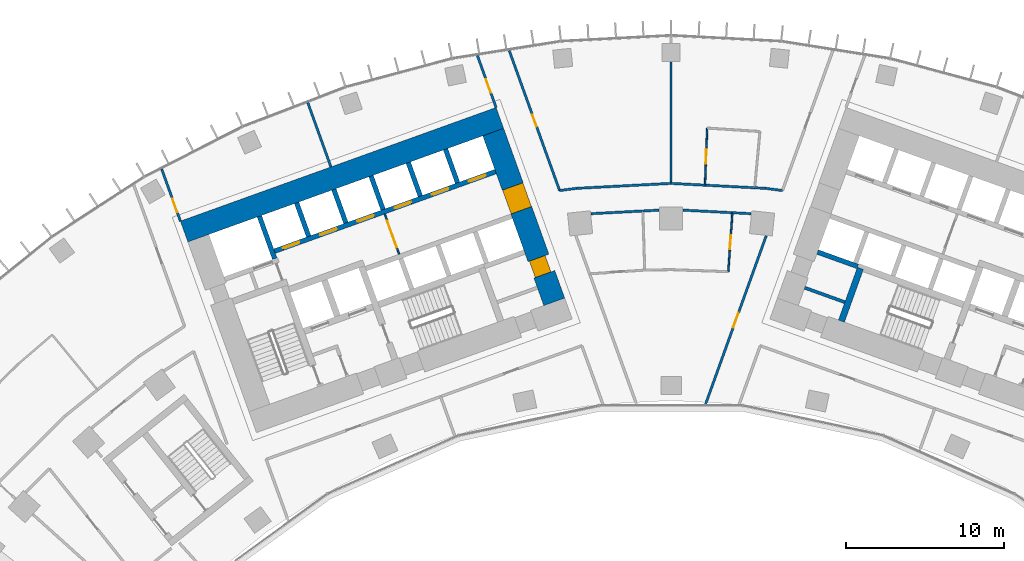
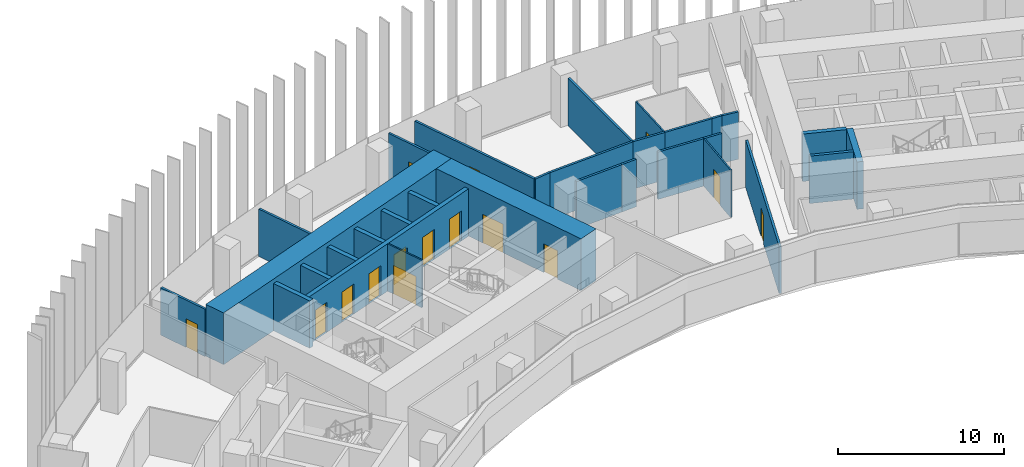
# One storey, part 16 of 21: 31 walls, 15 doors, 15 openings.
"""IFC4 building model written with IfcOpenShell, lengths in metres."""

from ifc_helpers import new_model, si_unit, direction, frame, frame_2d, origin, place, context, subcontext, project, spatial, rectangle, extrude, material, layer, layer_set, type_object, element, fill, save


model = new_model("IFC4")

# Units and contexts
model_context = context("Model", 3, precision=1e-05, world=origin(), true_north=direction((0.0, 1.0)))
body_context = subcontext(model_context, "Body", "Model", "MODEL_VIEW")
ifc_project = project(units=[si_unit("LENGTHUNIT", "METRE"), si_unit("AREAUNIT", "SQUARE_METRE"), si_unit("VOLUMEUNIT", "CUBIC_METRE"), si_unit("PLANEANGLEUNIT", "RADIAN"), si_unit("MASSUNIT", "GRAM", prefix="KILO")], contexts=[model_context])

# Site, building, storey
site_placement = place(None, origin())
site = spatial("IfcSite", under=ifc_project, at=site_placement, CompositionType="ELEMENT")
building_placement = place(site_placement, origin())
building = spatial("IfcBuilding", under=site, at=building_placement, Name="Stone Belt Terrace Tower", CompositionType="ELEMENT")
storey_placement = place(building_placement, frame((0.0, 0.0, 87.0)))
storey = spatial("IfcBuildingStorey", under=building, at=storey_placement, Name="L20", CompositionType="ELEMENT", Elevation=87.0)

# Wall, opening, door
ifc_material_1 = material(Name="Plasterboard partition")
ifc_layer_1 = layer(ifc_material_1, 0.10009765625)
ifc_layer_set_1 = layer_set([ifc_layer_1], Name="Core partition 100")
wall_type_1 = type_object("IfcWallType", Name="Core partition 100", PredefinedType="PARTITIONING", material=ifc_layer_set_1)
wall_1_placement = place(storey_placement, frame((-17.17724609375, 52.749755859375, 0.0), z_axis=(0.0, 0.0, 1.0), x_axis=(-0.338546555931, 0.940949642365, 0.0)))
wall_1 = element("IfcWall", 1, at=wall_1_placement, inside=storey, type_object=wall_type_1, Name="Core A wall", PredefinedType="PARTITIONING", context=body_context, shape_type="SweptSolid", body=[
    extrude(rectangle(XDim=2.699951171875, YDim=0.10009765625, at=frame_2d((1.35009765625, 0.0))), origin(), (0.0, 0.0, 1.0), 3.47998046875),
])
opening_1_placement = place(wall_1_placement, frame((0.449951171875, 0.0, 0.0)))
opening_1 = element("IfcOpeningElement", 2, at=opening_1_placement, cuts=wall_1, Name="Opening L20-C03", PredefinedType="OPENING", context=body_context, shape_type="SweptSolid", body=[
    extrude(rectangle(XDim=1.800048828125, YDim=2.10009765625, at=frame_2d((0.89990234375, 1.050048828125))), frame((0.0, 0.06005859375, 0.0), z_axis=(0.0, -1.0, 0.0), x_axis=(1.0, 0.0, 0.0)), (0.0, 0.0, 1.0), 0.1201171875),
])
ifc_material_2 = material(Name="Glazed aluminium door leaf", Category="aluminium")
door_type_1 = type_object("IfcDoorType", Name="Lift lobby entrance door 1800", OperationType="DOUBLE_DOOR_SINGLE_SWING", PredefinedType="DOOR", material=ifc_material_2)
door_1_placement = place(opening_1_placement, origin())
door_1 = element("IfcDoor", 3, at=door_1_placement, inside=storey, type_object=door_type_1, Name="Lift lobby double door core A", OperationType="DOUBLE_DOOR_SINGLE_SWING", OverallHeight=2.10009765625, OverallWidth=1.800048828125, PredefinedType="DOOR", context=body_context, shape_type="SweptSolid", body=[
    extrude(rectangle(XDim=1.800048828125, YDim=2.10009765625, at=frame_2d((0.89990234375, 1.050048828125))), frame((0.0, 0.02490234375, 0.0), z_axis=(0.0, -1.0, 0.0), x_axis=(1.0, 0.0, 0.0)), (0.0, 0.0, 1.0), 0.050048828125),
])
fill(opening_1, door_1)

# Wall
ifc_material_3 = material(Name="Concrete B80", Category="concrete")
ifc_layer_2 = layer(ifc_material_3, 1.39990234375)
ifc_layer_set_2 = layer_set([ifc_layer_2], Name="Core wall 1400 B80")
wall_type_2 = type_object("IfcWallType", Name="Core wall 1400 B80", PredefinedType="SHEAR", material=ifc_layer_set_2)
wall_2_placement = place(storey_placement, frame((-30.765380859375, 54.18310546875, 0.0), z_axis=(0.0, 0.0, 1.0), x_axis=(0.940919704758, 0.338629752382, 0.0)))
element("IfcWall", 4, at=wall_2_placement, inside=storey, type_object=wall_type_2, Name="Core A wall convex L20", PredefinedType="SHEAR", context=body_context, shape_type="SweptSolid", body=[
    extrude(rectangle(XDim=21.199951171875, YDim=1.39990234375, at=frame_2d((10.60009765625, 0.0))), origin(), (0.0, 0.0, 1.0), 3.800048828125),
])

# Wall, openings, doors
wall_3_placement = place(storey_placement, frame((-7.379150390625, 49.73974609375, 0.0), z_axis=(0.0, 0.0, 1.0), x_axis=(-0.338625431531, 0.940921259788, 0.0)))
wall_3 = element("IfcWall", 5, at=wall_3_placement, inside=storey, type_object=wall_type_2, Name="Core A wall end_b L20", PredefinedType="SHEAR", context=body_context, shape_type="SweptSolid", body=[
    extrude(rectangle(XDim=11.400146484375, YDim=1.39990234375, at=frame_2d((5.7001953125, 0.0))), origin(), (0.0, 0.0, 1.0), 3.800048828125),
])
opening_2_placement = place(wall_3_placement, frame((6.14990234375, 0.0, 0.0)))
opening_2 = element("IfcOpeningElement", 6, at=opening_2_placement, cuts=wall_3, Name="Opening L20-C04", PredefinedType="OPENING", context=body_context, shape_type="SweptSolid", body=[
    extrude(rectangle(XDim=1.60009765625, YDim=2.10009765625, at=frame_2d((0.800048828125, 1.050048828125))), frame((0.0, 0.7099609375, 0.0), z_axis=(0.0, -1.0, 0.0), x_axis=(1.0, 0.0, 0.0)), (0.0, 0.0, 1.0), 1.419921875),
])
opening_3_placement = place(wall_3_placement, frame((1.85009765625, 0.0, 0.0)))
opening_3 = element("IfcOpeningElement", 7, at=opening_3_placement, cuts=wall_3, Name="Opening L20-C10", PredefinedType="OPENING", context=body_context, shape_type="SweptSolid", body=[
    extrude(rectangle(XDim=1.10009765625, YDim=2.10009765625, at=frame_2d((0.550048828125, 1.050048828125))), frame((0.0, 0.7099609375, 0.0), z_axis=(0.0, -1.0, 0.0), x_axis=(1.0, 0.0, 0.0)), (0.0, 0.0, 1.0), 1.419921875),
])
ifc_material_4 = material(Name="Timber door leaf", Category="wood")
door_type_2 = type_object("IfcDoorType", Name="Core room door 1100", OperationType="SINGLE_SWING_LEFT", PredefinedType="DOOR", material=ifc_material_4)
door_2_placement = place(opening_3_placement, origin())
door_2 = element("IfcDoor", 8, at=door_2_placement, inside=storey, type_object=door_type_2, Name="Door to Accessible WC core A", OperationType="SINGLE_SWING_RIGHT", OverallHeight=2.10009765625, OverallWidth=1.10009765625, PredefinedType="DOOR", context=body_context, shape_type="SweptSolid", body=[
    extrude(rectangle(XDim=1.10009765625, YDim=2.10009765625, at=frame_2d((0.550048828125, 1.050048828125))), frame((0.0, 0.60498046875, 0.0), z_axis=(0.0, -1.0, 0.0), x_axis=(1.0, 0.0, 0.0)), (0.0, 0.0, 1.0), 1.050048828125),
])
fill(opening_3, door_2)
door_type_3 = type_object("IfcDoorType", Name="Lift lobby entrance door 1600", OperationType="DOUBLE_DOOR_SINGLE_SWING", PredefinedType="DOOR", material=ifc_material_2)
door_3_placement = place(opening_2_placement, origin())
door_3 = element("IfcDoor", 9, at=door_3_placement, inside=storey, type_object=door_type_3, Name="Lift lobby entrance door core A", OperationType="DOUBLE_DOOR_SINGLE_SWING", OverallHeight=2.10009765625, OverallWidth=1.60009765625, PredefinedType="DOOR", context=body_context, shape_type="SweptSolid", body=[
    extrude(rectangle(XDim=1.60009765625, YDim=2.10009765625, at=frame_2d((0.800048828125, 1.050048828125))), frame((0.0, 0.68017578125, 0.0), z_axis=(0.0, -1.0, 0.0), x_axis=(1.0, 0.0, 0.0)), (0.0, 0.0, 1.0), 1.360107421875),
])
fill(opening_2, door_3)

# Wall
ifc_layer_3 = layer(ifc_material_3, 0.300048828125)
ifc_layer_set_3 = layer_set([ifc_layer_3], Name="Lift shaft wall 300")
wall_type_3 = type_object("IfcWallType", Name="Lift shaft wall 300", PredefinedType="SHEAR", material=ifc_layer_set_3)
wall_4_placement = place(storey_placement, frame((-25.046875, 52.46826171875, 0.0), z_axis=(0.0, 0.0, 1.0), x_axis=(-0.338549588058, 0.940948551423, 0.0)))
element("IfcWall", 10, at=wall_4_placement, inside=storey, type_object=wall_type_3, Name="Core A wall", PredefinedType="SHEAR", context=body_context, shape_type="SweptSolid", body=[
    extrude(rectangle(XDim=2.849853515625, YDim=0.300048828125, at=frame_2d((1.4248046875, 0.0))), origin(), (0.0, 0.0, 1.0), 3.47998046875),
])

# Wall, openings, doors
wall_5_placement = place(storey_placement, frame((-25.05810546875, 52.9423828125, 0.0), z_axis=(0.0, 0.0, 1.0), x_axis=(0.940918215764, 0.338633889685, 0.0)))
wall_5 = element("IfcWall", 11, at=wall_5_placement, inside=storey, type_object=wall_type_3, Name="Core A wall", PredefinedType="SHEAR", context=body_context, shape_type="SweptSolid", body=[
    extrude(rectangle(XDim=14.850341796875, YDim=0.300048828125, at=frame_2d((7.42529296875, 0.0))), origin(), (0.0, 0.0, 1.0), 3.47998046875),
])
opening_4_placement = place(wall_5_placement, frame((0.570068359375, 0.0, 0.0)))
opening_4 = element("IfcOpeningElement", 12, at=opening_4_placement, cuts=wall_5, Name="Opening L20-LD01", PredefinedType="OPENING", context=body_context, shape_type="SweptSolid", body=[
    extrude(rectangle(XDim=1.10009765625, YDim=2.199951171875, at=frame_2d((0.550048828125, 1.10009765625))), frame((0.0, 0.159912109375, 0.0), z_axis=(0.0, -1.0, 0.0), x_axis=(1.0, 0.0, 0.0)), (0.0, 0.0, 1.0), 0.320068359375),
])
opening_5_placement = place(wall_5_placement, frame((3.070068359375, 0.0, 0.0)))
opening_5 = element("IfcOpeningElement", 13, at=opening_5_placement, cuts=wall_5, Name="Opening L20-LD02", PredefinedType="OPENING", context=body_context, shape_type="SweptSolid", body=[
    extrude(rectangle(XDim=1.10009765625, YDim=2.199951171875, at=frame_2d((0.550048828125, 1.10009765625))), frame((0.0, 0.159912109375, 0.0), z_axis=(0.0, -1.0, 0.0), x_axis=(1.0, 0.0, 0.0)), (0.0, 0.0, 1.0), 0.320068359375),
])
opening_6_placement = place(wall_5_placement, frame((5.570068359375, 0.0, 0.0)))
opening_6 = element("IfcOpeningElement", 14, at=opening_6_placement, cuts=wall_5, Name="Opening L20-LD03", PredefinedType="OPENING", context=body_context, shape_type="SweptSolid", body=[
    extrude(rectangle(XDim=1.10009765625, YDim=2.199951171875, at=frame_2d((0.550048828125, 1.10009765625))), frame((0.0, 0.159912109375, 0.0), z_axis=(0.0, -1.0, 0.0), x_axis=(1.0, 0.0, 0.0)), (0.0, 0.0, 1.0), 0.320068359375),
])
opening_7_placement = place(wall_5_placement, frame((8.070068359375, 0.0, 0.0)))
opening_7 = element("IfcOpeningElement", 15, at=opening_7_placement, cuts=wall_5, Name="Opening L20-LD04", PredefinedType="OPENING", context=body_context, shape_type="SweptSolid", body=[
    extrude(rectangle(XDim=1.10009765625, YDim=2.199951171875, at=frame_2d((0.550048828125, 1.10009765625))), frame((0.0, 0.159912109375, 0.0), z_axis=(0.0, -1.0, 0.0), x_axis=(1.0, 0.0, 0.0)), (0.0, 0.0, 1.0), 0.320068359375),
])
opening_8_placement = place(wall_5_placement, frame((10.570068359375, 0.0, 0.0)))
opening_8 = element("IfcOpeningElement", 16, at=opening_8_placement, cuts=wall_5, Name="Opening L20-LD05", PredefinedType="OPENING", context=body_context, shape_type="SweptSolid", body=[
    extrude(rectangle(XDim=1.10009765625, YDim=2.199951171875, at=frame_2d((0.550048828125, 1.10009765625))), frame((0.0, 0.159912109375, 0.0), z_axis=(0.0, -1.0, 0.0), x_axis=(1.0, 0.0, 0.0)), (0.0, 0.0, 1.0), 0.320068359375),
])
opening_9_placement = place(wall_5_placement, frame((13.070068359375, 0.0, 0.0)))
opening_9 = element("IfcOpeningElement", 17, at=opening_9_placement, cuts=wall_5, Name="Opening L20-LD06", PredefinedType="OPENING", context=body_context, shape_type="SweptSolid", body=[
    extrude(rectangle(XDim=1.10009765625, YDim=2.199951171875, at=frame_2d((0.550048828125, 1.10009765625))), frame((0.0, 0.159912109375, 0.0), z_axis=(0.0, -1.0, 0.0), x_axis=(1.0, 0.0, 0.0)), (0.0, 0.0, 1.0), 0.320068359375),
])
ifc_material_5 = material(Name="Stainless steel door leaf", Category="steel")
door_type_4 = type_object("IfcDoorType", Name="Landing door 1100", OperationType="SLIDING_TO_LEFT", PredefinedType="DOOR", material=ifc_material_5)
door_4_placement = place(opening_4_placement, origin())
door_4 = element("IfcDoor", 18, at=door_4_placement, inside=storey, type_object=door_type_4, Name="Landing door LR1 core A", OperationType="SLIDING_TO_LEFT", OverallHeight=2.199951171875, OverallWidth=1.10009765625, PredefinedType="DOOR", context=body_context, shape_type="SweptSolid", body=[
    extrude(rectangle(XDim=1.10009765625, YDim=2.199951171875, at=frame_2d((0.550048828125, 1.10009765625))), frame((0.0, 0.02490234375, 0.0), z_axis=(0.0, -1.0, 0.0), x_axis=(1.0, 0.0, 0.0)), (0.0, 0.0, 1.0), 0.050048828125),
])
fill(opening_4, door_4)
door_5_placement = place(opening_5_placement, origin())
door_5 = element("IfcDoor", 19, at=door_5_placement, inside=storey, type_object=door_type_4, Name="Landing door LR2 core A", OperationType="SLIDING_TO_LEFT", OverallHeight=2.199951171875, OverallWidth=1.10009765625, PredefinedType="DOOR", context=body_context, shape_type="SweptSolid", body=[
    extrude(rectangle(XDim=1.10009765625, YDim=2.199951171875, at=frame_2d((0.550048828125, 1.10009765625))), frame((0.0, 0.02490234375, 0.0), z_axis=(0.0, -1.0, 0.0), x_axis=(1.0, 0.0, 0.0)), (0.0, 0.0, 1.0), 0.050048828125),
])
fill(opening_5, door_5)
door_6_placement = place(opening_6_placement, origin())
door_6 = element("IfcDoor", 20, at=door_6_placement, inside=storey, type_object=door_type_4, Name="Landing door LR3 core A", OperationType="SLIDING_TO_LEFT", OverallHeight=2.199951171875, OverallWidth=1.10009765625, PredefinedType="DOOR", context=body_context, shape_type="SweptSolid", body=[
    extrude(rectangle(XDim=1.10009765625, YDim=2.199951171875, at=frame_2d((0.550048828125, 1.10009765625))), frame((0.0, 0.02490234375, 0.0), z_axis=(0.0, -1.0, 0.0), x_axis=(1.0, 0.0, 0.0)), (0.0, 0.0, 1.0), 0.050048828125),
])
fill(opening_6, door_6)
door_7_placement = place(opening_7_placement, origin())
door_7 = element("IfcDoor", 21, at=door_7_placement, inside=storey, type_object=door_type_4, Name="Landing door LR4 core A", OperationType="SLIDING_TO_LEFT", OverallHeight=2.199951171875, OverallWidth=1.10009765625, PredefinedType="DOOR", context=body_context, shape_type="SweptSolid", body=[
    extrude(rectangle(XDim=1.10009765625, YDim=2.199951171875, at=frame_2d((0.550048828125, 1.10009765625))), frame((0.0, 0.02490234375, 0.0), z_axis=(0.0, -1.0, 0.0), x_axis=(1.0, 0.0, 0.0)), (0.0, 0.0, 1.0), 0.050048828125),
])
fill(opening_7, door_7)
door_8_placement = place(opening_8_placement, origin())
door_8 = element("IfcDoor", 22, at=door_8_placement, inside=storey, type_object=door_type_4, Name="Landing door LR5 core A", OperationType="SLIDING_TO_LEFT", OverallHeight=2.199951171875, OverallWidth=1.10009765625, PredefinedType="DOOR", context=body_context, shape_type="SweptSolid", body=[
    extrude(rectangle(XDim=1.10009765625, YDim=2.199951171875, at=frame_2d((0.550048828125, 1.10009765625))), frame((0.0, 0.02490234375, 0.0), z_axis=(0.0, -1.0, 0.0), x_axis=(1.0, 0.0, 0.0)), (0.0, 0.0, 1.0), 0.050048828125),
])
fill(opening_8, door_8)
door_9_placement = place(opening_9_placement, origin())
door_9 = element("IfcDoor", 23, at=door_9_placement, inside=storey, type_object=door_type_4, Name="Landing door LR6 core A", OperationType="SLIDING_TO_LEFT", OverallHeight=2.199951171875, OverallWidth=1.10009765625, PredefinedType="DOOR", context=body_context, shape_type="SweptSolid", body=[
    extrude(rectangle(XDim=1.10009765625, YDim=2.199951171875, at=frame_2d((0.550048828125, 1.10009765625))), frame((0.0, 0.02490234375, 0.0), z_axis=(0.0, -1.0, 0.0), x_axis=(1.0, 0.0, 0.0)), (0.0, 0.0, 1.0), 0.050048828125),
])
fill(opening_9, door_9)

# Walls
wall_6_placement = place(storey_placement, frame((-22.897705078125, 53.87939453125, 0.0), z_axis=(0.0, 0.0, 1.0), x_axis=(-0.338535034312, 0.940953787677, 0.0)))
element("IfcWall", 24, at=wall_6_placement, inside=storey, type_object=wall_type_3, Name="Core A wall", PredefinedType="SHEAR", context=body_context, shape_type="SweptSolid", body=[
    extrude(rectangle(XDim=2.25, YDim=0.300048828125, at=frame_2d((1.125, 0.0))), origin(), (0.0, 0.0, 1.0), 3.47998046875),
])
wall_7_placement = place(storey_placement, frame((-20.54541015625, 54.72607421875, 0.0), z_axis=(0.0, 0.0, 1.0), x_axis=(-0.338569601369, 0.940941350472, 0.0)))
element("IfcWall", 25, at=wall_7_placement, inside=storey, type_object=wall_type_3, Name="Core A wall", PredefinedType="SHEAR", context=body_context, shape_type="SweptSolid", body=[
    extrude(rectangle(XDim=2.249755859375, YDim=0.300048828125, at=frame_2d((1.125, 0.0))), origin(), (0.0, 0.0, 1.0), 3.47998046875),
])
wall_8_placement = place(storey_placement, frame((-18.193115234375, 55.572509765625, 0.0), z_axis=(0.0, 0.0, 1.0), x_axis=(-0.338535034312, 0.940953787677, 0.0)))
element("IfcWall", 26, at=wall_8_placement, inside=storey, type_object=wall_type_3, Name="Core A wall", PredefinedType="SHEAR", context=body_context, shape_type="SweptSolid", body=[
    extrude(rectangle(XDim=2.25, YDim=0.300048828125, at=frame_2d((1.125, 0.0))), origin(), (0.0, 0.0, 1.0), 3.47998046875),
])
wall_9_placement = place(storey_placement, frame((-15.8408203125, 56.419189453125, 0.0), z_axis=(0.0, 0.0, 1.0), x_axis=(-0.338569601369, 0.940941350472, 0.0)))
element("IfcWall", 27, at=wall_9_placement, inside=storey, type_object=wall_type_3, Name="Core A wall", PredefinedType="SHEAR", context=body_context, shape_type="SweptSolid", body=[
    extrude(rectangle(XDim=2.249755859375, YDim=0.300048828125, at=frame_2d((1.125, 0.0))), origin(), (0.0, 0.0, 1.0), 3.47998046875),
])
wall_10_placement = place(storey_placement, frame((-13.48828125, 57.265625, 0.0), z_axis=(0.0, 0.0, 1.0), x_axis=(-0.338631098537, 0.940919220286, 0.0)))
element("IfcWall", 28, at=wall_10_placement, inside=storey, type_object=wall_type_3, Name="Core A wall", PredefinedType="SHEAR", context=body_context, shape_type="SweptSolid", body=[
    extrude(rectangle(XDim=2.250244140625, YDim=0.300048828125, at=frame_2d((1.125, 0.0))), origin(), (0.0, 0.0, 1.0), 3.47998046875),
])
wall_11_placement = place(storey_placement, frame((11.797119140625, 51.975830078125, 0.0), z_axis=(0.0, 0.0, 1.0), x_axis=(-0.940910465161, 0.33865542451, 0.0)))
element("IfcWall", 29, at=wall_11_placement, inside=storey, type_object=wall_type_3, Name="Core B wall", PredefinedType="SHEAR", context=body_context, shape_type="SweptSolid", body=[
    extrude(rectangle(XDim=2.69970703125, YDim=0.300048828125, at=frame_2d((1.349853515625, 0.0))), origin(), (0.0, 0.0, 1.0), 3.47998046875),
])

# Wall, opening, door
ifc_material_6 = material(Name="Gypsum board partition")
ifc_layer_4 = layer(ifc_material_6, 0.10009765625)
ifc_layer_set_4 = layer_set([ifc_layer_4], Name="PARTITION 100")
wall_type_4 = type_object("IfcWallType", Name="PARTITION 100", PredefinedType="PARTITIONING", material=ifc_layer_set_4)
wall_12_placement = place(storey_placement, frame((3.616943359375, 51.64794921875, 0.0), z_axis=(0.0, 0.0, 1.0), x_axis=(0.069908521792, 0.99755340638, 0.0)))
wall_12 = element("IfcWall", 30, at=wall_12_placement, inside=storey, type_object=wall_type_4, Name="L20/wall/i087", PredefinedType="PARTITIONING", context=body_context, shape_type="SweptSolid", body=[
    extrude(rectangle(XDim=3.733154296875, YDim=0.10009765625, at=frame_2d((1.86669921875, 0.0))), origin(), (0.0, 0.0, 1.0), 3.47998046875),
])
opening_10_placement = place(wall_12_placement, frame((1.41650390625, 0.0, 0.0)))
opening_10 = element("IfcOpeningElement", 31, at=opening_10_placement, cuts=wall_12, Name="Opening D-B1-25", PredefinedType="OPENING", context=body_context, shape_type="SweptSolid", body=[
    extrude(rectangle(XDim=0.89990234375, YDim=2.10009765625, at=frame_2d((0.449951171875, 1.050048828125))), frame((0.0, 0.06005859375, 0.0), z_axis=(0.0, -1.0, 0.0), x_axis=(1.0, 0.0, 0.0)), (0.0, 0.0, 1.0), 0.1201171875),
])
door_type_5 = type_object("IfcDoorType", Name="OFFICE DOOR 900 X 2100", OperationType="NOTDEFINED", PredefinedType="DOOR", material=ifc_material_4)
door_10_placement = place(opening_10_placement, origin())
door_10 = element("IfcDoor", 32, at=door_10_placement, inside=storey, type_object=door_type_5, Name="L20/door/i25", OperationType="SINGLE_SWING_RIGHT", OverallHeight=2.10009765625, OverallWidth=0.89990234375, PredefinedType="DOOR", context=body_context, shape_type="SweptSolid", body=[
    extrude(rectangle(XDim=0.89990234375, YDim=2.10009765625, at=frame_2d((0.449951171875, 1.050048828125))), frame((0.0, 0.02490234375, 0.0), z_axis=(0.0, -1.0, 0.0), x_axis=(1.0, 0.0, 0.0)), (0.0, 0.0, 1.0), 0.050048828125),
])
fill(opening_10, door_10)

wall_13_placement = place(storey_placement, frame((2.281982421875, 60.721923828125, 0.0), z_axis=(0.0, 0.0, 1.0), x_axis=(-0.037654241035, -0.999290827603, 0.0)))
wall_13 = element("IfcWall", 33, at=wall_13_placement, inside=storey, type_object=wall_type_4, Name="L20/wall/i093", PredefinedType="PARTITIONING", context=body_context, shape_type="SweptSolid", body=[
    extrude(rectangle(XDim=3.611328125, YDim=0.10009765625, at=frame_2d((1.8056640625, 0.0))), origin(), (0.0, 0.0, 1.0), 3.47998046875),
])
opening_11_placement = place(wall_13_placement, frame((1.355712890625, 0.0, 0.0)))
opening_11 = element("IfcOpeningElement", 34, at=opening_11_placement, cuts=wall_13, Name="Opening D-B1-28", PredefinedType="OPENING", context=body_context, shape_type="SweptSolid", body=[
    extrude(rectangle(XDim=0.89990234375, YDim=2.10009765625, at=frame_2d((0.449951171875, 1.050048828125))), frame((0.0, 0.06005859375, 0.0), z_axis=(0.0, -1.0, 0.0), x_axis=(1.0, 0.0, 0.0)), (0.0, 0.0, 1.0), 0.1201171875),
])
door_11_placement = place(opening_11_placement, origin())
door_11 = element("IfcDoor", 35, at=door_11_placement, inside=storey, type_object=door_type_5, Name="L20/door/i28", OperationType="SINGLE_SWING_RIGHT", OverallHeight=2.10009765625, OverallWidth=0.89990234375, PredefinedType="DOOR", context=body_context, shape_type="SweptSolid", body=[
    extrude(rectangle(XDim=0.89990234375, YDim=2.10009765625, at=frame_2d((0.449951171875, 1.050048828125))), frame((0.0, 0.02490234375, 0.0), z_axis=(0.0, -1.0, 0.0), x_axis=(1.0, 0.0, 0.0)), (0.0, 0.0, 1.0), 0.050048828125),
])
fill(opening_11, door_11)

ifc_layer_5 = layer(ifc_material_6, 0.14990234375)
ifc_layer_set_5 = layer_set([ifc_layer_5], Name="PARTITION 150 EI 60")
wall_type_5 = type_object("IfcWallType", Name="PARTITION 150 EI 60", PredefinedType="PARTITIONING", material=ifc_layer_set_5)
wall_14_placement = place(storey_placement, frame((-32.185791015625, 58.131103515625, 0.0), z_axis=(0.0, 0.0, 1.0), x_axis=(0.338662585219, -0.940907887826, 0.0)))
wall_14 = element("IfcWall", 36, at=wall_14_placement, inside=storey, type_object=wall_type_5, Name="L20/wall/i002", PredefinedType="PARTITIONING", context=body_context, shape_type="SweptSolid", body=[
    extrude(rectangle(XDim=3.49560546875, YDim=0.14990234375, at=frame_2d((1.747802734375, 0.0))), origin(), (0.0, 0.0, 1.0), 3.47998046875),
])
opening_12_placement = place(wall_14_placement, frame((1.996337890625, 0.0, 0.0)))
opening_12 = element("IfcOpeningElement", 37, at=opening_12_placement, cuts=wall_14, Name="Opening D-B1-03", PredefinedType="OPENING", context=body_context, shape_type="SweptSolid", body=[
    extrude(rectangle(XDim=0.89990234375, YDim=2.10009765625, at=frame_2d((0.449951171875, 1.050048828125))), frame((0.0, 0.0849609375, 0.0), z_axis=(0.0, -1.0, 0.0), x_axis=(1.0, 0.0, 0.0)), (0.0, 0.0, 1.0), 0.169921875),
])
door_12_placement = place(opening_12_placement, origin())
door_12 = element("IfcDoor", 38, at=door_12_placement, inside=storey, type_object=door_type_5, Name="L20/door/i03", OperationType="SINGLE_SWING_RIGHT", OverallHeight=2.10009765625, OverallWidth=0.89990234375, PredefinedType="DOOR", context=body_context, shape_type="SweptSolid", body=[
    extrude(rectangle(XDim=0.89990234375, YDim=2.10009765625, at=frame_2d((0.449951171875, 1.050048828125))), frame((0.0, 0.02490234375, 0.0), z_axis=(0.0, -1.0, 0.0), x_axis=(1.0, 0.0, 0.0)), (0.0, 0.0, 1.0), 0.050048828125),
])
fill(opening_12, door_12)

wall_15_placement = place(storey_placement, frame((-11.054931640625, 62.02099609375, 0.0), z_axis=(0.0, 0.0, 1.0), x_axis=(-0.338853532575, 0.94083913793, 0.0)))
wall_15 = element("IfcWall", 39, at=wall_15_placement, inside=storey, type_object=wall_type_5, Name="L20/wall/i007", PredefinedType="PARTITIONING", context=body_context, shape_type="SweptSolid", body=[
    extrude(rectangle(XDim=3.482177734375, YDim=0.14990234375, at=frame_2d((1.7412109375, 0.0))), origin(), (0.0, 0.0, 1.0), 3.47998046875),
])
opening_13_placement = place(wall_15_placement, frame((0.99365234375, 0.0, 0.0)))
opening_13 = element("IfcOpeningElement", 40, at=opening_13_placement, cuts=wall_15, Name="Opening D-B1-04", PredefinedType="OPENING", context=body_context, shape_type="SweptSolid", body=[
    extrude(rectangle(XDim=0.89990234375, YDim=2.10009765625, at=frame_2d((0.449951171875, 1.050048828125))), frame((0.0, 0.0849609375, 0.0), z_axis=(0.0, -1.0, 0.0), x_axis=(1.0, 0.0, 0.0)), (0.0, 0.0, 1.0), 0.169921875),
])
door_13_placement = place(opening_13_placement, origin())
door_13 = element("IfcDoor", 41, at=door_13_placement, inside=storey, type_object=door_type_5, Name="L20/door/i04", OperationType="SINGLE_SWING_LEFT", OverallHeight=2.10009765625, OverallWidth=0.89990234375, PredefinedType="DOOR", context=body_context, shape_type="SweptSolid", body=[
    extrude(rectangle(XDim=0.89990234375, YDim=2.10009765625, at=frame_2d((0.449951171875, 1.050048828125))), frame((0.0, 0.02490234375, 0.0), z_axis=(0.0, -1.0, 0.0), x_axis=(1.0, 0.0, 0.0)), (0.0, 0.0, 1.0), 0.050048828125),
])
fill(opening_13, door_13)

wall_16_placement = place(storey_placement, frame((-10.223876953125, 65.6162109375, 0.0), z_axis=(0.0, 0.0, 1.0), x_axis=(0.338637655092, -0.940916860596, 0.0)))
wall_16 = element("IfcWall", 42, at=wall_16_placement, inside=storey, type_object=wall_type_5, Name="L20/wall/i010", PredefinedType="PARTITIONING", context=body_context, shape_type="SweptSolid", body=[
    extrude(rectangle(XDim=9.40478515625, YDim=0.14990234375, at=frame_2d((4.702392578125, 0.0))), origin(), (0.0, 0.0, 1.0), 3.47998046875),
])
opening_14_placement = place(wall_16_placement, frame((4.302490234375, 0.0, 0.0)))
opening_14 = element("IfcOpeningElement", 43, at=opening_14_placement, cuts=wall_16, Name="Opening D-B1-26", PredefinedType="OPENING", context=body_context, shape_type="SweptSolid", body=[
    extrude(rectangle(XDim=0.800048828125, YDim=2.10009765625, at=frame_2d((0.39990234375, 1.050048828125))), frame((0.0, 0.0849609375, 0.0), z_axis=(0.0, -1.0, 0.0), x_axis=(1.0, 0.0, 0.0)), (0.0, 0.0, 1.0), 0.169921875),
])
door_type_6 = type_object("IfcDoorType", Name="STORE DOOR 800 X 2100", OperationType="NOTDEFINED", PredefinedType="DOOR", material=ifc_material_4)
door_14_placement = place(opening_14_placement, origin())
door_14 = element("IfcDoor", 44, at=door_14_placement, inside=storey, type_object=door_type_6, Name="L20/door/i26", OperationType="SINGLE_SWING_RIGHT", OverallHeight=2.10009765625, OverallWidth=0.800048828125, PredefinedType="DOOR", context=body_context, shape_type="SweptSolid", body=[
    extrude(rectangle(XDim=0.800048828125, YDim=2.10009765625, at=frame_2d((0.39990234375, 1.050048828125))), frame((0.0, 0.02490234375, 0.0), z_axis=(0.0, -1.0, 0.0), x_axis=(1.0, 0.0, 0.0)), (0.0, 0.0, 1.0), 0.050048828125),
])
fill(opening_14, door_14)

# Wall
wall_17_placement = place(storey_placement, frame((-22.952880859375, 62.322998046875, 0.0), z_axis=(0.0, 0.0, 1.0), x_axis=(0.338723477112, -0.940885968677, 0.0)))
element("IfcWall", 45, at=wall_17_placement, inside=storey, type_object=wall_type_5, Name="L20/wall/i014", PredefinedType="PARTITIONING", context=body_context, shape_type="SweptSolid", body=[
    extrude(rectangle(XDim=4.31298828125, YDim=0.14990234375, at=frame_2d((2.156494140625, 0.0))), origin(), (0.0, 0.0, 1.0), 3.47998046875),
])

# Wall, opening, door
wall_18_placement = place(storey_placement, frame((2.1787109375, 43.26171875, 0.0), z_axis=(0.0, 0.0, 1.0), x_axis=(0.338656837626, 0.940909956547, 0.0)))
wall_18 = element("IfcWall", 46, at=wall_18_placement, inside=storey, type_object=wall_type_5, Name="L20/wall/i017", PredefinedType="PARTITIONING", context=body_context, shape_type="SweptSolid", body=[
    extrude(rectangle(XDim=11.319091796875, YDim=0.14990234375, at=frame_2d((5.65966796875, 0.0))), origin(), (0.0, 0.0, 1.0), 3.47998046875),
])
opening_15_placement = place(wall_18_placement, frame((5.159423828125, 0.0, 0.0)))
opening_15 = element("IfcOpeningElement", 47, at=opening_15_placement, cuts=wall_18, Name="Opening D-B1-23", PredefinedType="OPENING", context=body_context, shape_type="SweptSolid", body=[
    extrude(rectangle(XDim=1.0, YDim=2.10009765625, at=frame_2d((0.5, 1.050048828125))), frame((0.0, 0.0849609375, 0.0), z_axis=(0.0, -1.0, 0.0), x_axis=(1.0, 0.0, 0.0)), (0.0, 0.0, 1.0), 0.169921875),
])
ifc_material_7 = material(Name="Timber fire door leaf", Category="wood")
door_type_7 = type_object("IfcDoorType", Name="TENANCY ENTRANCE DOOR 1000 X 2100", OperationType="NOTDEFINED", PredefinedType="DOOR", material=ifc_material_7)
door_15_placement = place(opening_15_placement, origin())
door_15 = element("IfcDoor", 48, at=door_15_placement, inside=storey, type_object=door_type_7, Name="L20/door/i23", OperationType="SINGLE_SWING_LEFT", OverallHeight=2.10009765625, OverallWidth=1.0, PredefinedType="DOOR", context=body_context, shape_type="SweptSolid", body=[
    extrude(rectangle(XDim=1.0, YDim=2.10009765625, at=frame_2d((0.5, 1.050048828125))), frame((0.0, 0.02490234375, 0.0), z_axis=(0.0, -1.0, 0.0), x_axis=(1.0, 0.0, 0.0)), (0.0, 0.0, 1.0), 0.050048828125),
])
fill(opening_15, door_15)

# Walls
wall_19_placement = place(storey_placement, frame((5.05419921875, 55.310302734375, 0.0), z_axis=(0.0, 0.0, 1.0), x_axis=(-0.998637698263, 0.052179954081, 0.0)))
element("IfcWall", 49, at=wall_19_placement, inside=storey, type_object=wall_type_5, Name="L20/wall/i074", PredefinedType="PARTITIONING", context=body_context, shape_type="SweptSolid", body=[
    extrude(rectangle(XDim=1.183837890625, YDim=0.14990234375, at=frame_2d((0.591796875, 0.0))), origin(), (0.0, 0.0, 1.0), 3.47998046875),
])
wall_20_placement = place(storey_placement, frame((-1.777099609375, 55.48193359375, 0.0), z_axis=(0.0, 0.0, 1.0), x_axis=(-0.998635243158, -0.052226919519, 0.0)))
element("IfcWall", 50, at=wall_20_placement, inside=storey, type_object=wall_type_5, Name="L20/wall/i075", PredefinedType="PARTITIONING", context=body_context, shape_type="SweptSolid", body=[
    extrude(rectangle(XDim=3.281494140625, YDim=0.14990234375, at=frame_2d((1.640625, 0.0))), origin(), (0.0, 0.0, 1.0), 3.47998046875),
])
wall_21_placement = place(storey_placement, frame((3.884033203125, 55.3720703125, 0.0), z_axis=(0.0, 0.0, 1.0), x_axis=(-0.998636491381, 0.052203046674, 0.0)))
element("IfcWall", 51, at=wall_21_placement, inside=storey, type_object=wall_type_5, Name="L20/wall/i076", PredefinedType="PARTITIONING", context=body_context, shape_type="SweptSolid", body=[
    extrude(rectangle(XDim=3.13330078125, YDim=0.14990234375, at=frame_2d((1.566650390625, 0.0))), origin(), (0.0, 0.0, 1.0), 3.47998046875),
])
wall_22_placement = place(storey_placement, frame((-0.7548828125, 55.535400390625, 0.0), z_axis=(0.0, 0.0, 1.0), x_axis=(-0.998617178026, -0.052571206492, 0.0)))
element("IfcWall", 52, at=wall_22_placement, inside=storey, type_object=wall_type_5, Name="L20/wall/i077", PredefinedType="PARTITIONING", context=body_context, shape_type="SweptSolid", body=[
    extrude(rectangle(XDim=1.03564453125, YDim=0.14990234375, at=frame_2d((0.517822265625, 0.0))), origin(), (0.0, 0.0, 1.0), 3.47998046875),
])
wall_23_placement = place(storey_placement, frame((-7.041015625, 56.77294921875, 0.0), z_axis=(0.0, 0.0, 1.0), x_axis=(0.991477617634, 0.130277142013, 0.0)))
element("IfcWall", 53, at=wall_23_placement, inside=storey, type_object=wall_type_5, Name="L20/wall/i078", PredefinedType="PARTITIONING", context=body_context, shape_type="SweptSolid", body=[
    extrude(rectangle(XDim=1.068115234375, YDim=0.14990234375, at=frame_2d((0.5341796875, 0.0))), origin(), (0.0, 0.0, 1.0), 3.47998046875),
])
wall_24_placement = place(storey_placement, frame((-5.98193359375, 56.912109375, 0.0), z_axis=(0.0, 0.0, 1.0), x_axis=(0.998633994648, 0.052250786921, 0.0)))
element("IfcWall", 54, at=wall_24_placement, inside=storey, type_object=wall_type_5, Name="L20/wall/i079", PredefinedType="PARTITIONING", context=body_context, shape_type="SweptSolid", body=[
    extrude(rectangle(XDim=5.990234375, YDim=0.14990234375, at=frame_2d((2.9951171875, 0.0))), origin(), (0.0, 0.0, 1.0), 3.47998046875),
])
wall_25_placement = place(storey_placement, frame((0.0, 57.22509765625, 0.0), z_axis=(0.0, 0.0, 1.0), x_axis=(0.998623456644, -0.052451804926, 0.0)))
element("IfcWall", 55, at=wall_25_placement, inside=storey, type_object=wall_type_5, Name="L20/wall/i080", PredefinedType="PARTITIONING", context=body_context, shape_type="SweptSolid", body=[
    extrude(rectangle(XDim=2.155029296875, YDim=0.14990234375, at=frame_2d((1.07763671875, 0.0))), origin(), (0.0, 0.0, 1.0), 3.47998046875),
])
wall_26_placement = place(storey_placement, frame((5.281005859375, 56.948974609375, 0.0), z_axis=(0.0, 0.0, 1.0), x_axis=(0.998619750377, -0.052522320553, 0.0)))
element("IfcWall", 56, at=wall_26_placement, inside=storey, type_object=wall_type_5, Name="L20/wall/i081", PredefinedType="PARTITIONING", context=body_context, shape_type="SweptSolid", body=[
    extrude(rectangle(XDim=0.701904296875, YDim=0.14990234375, at=frame_2d((0.35107421875, 0.0))), origin(), (0.0, 0.0, 1.0), 3.47998046875),
])
wall_27_placement = place(storey_placement, frame((5.98193359375, 56.912109375, 0.0), z_axis=(0.0, 0.0, 1.0), x_axis=(0.991477617634, -0.130277142013, 0.0)))
element("IfcWall", 57, at=wall_27_placement, inside=storey, type_object=wall_type_5, Name="L20/wall/i082", PredefinedType="PARTITIONING", context=body_context, shape_type="SweptSolid", body=[
    extrude(rectangle(XDim=1.068115234375, YDim=0.14990234375, at=frame_2d((0.5341796875, 0.0))), origin(), (0.0, 0.0, 1.0), 3.47998046875),
])
wall_28_placement = place(storey_placement, frame((2.139892578125, 57.113037109375, 0.0), z_axis=(0.0, 0.0, 1.0), x_axis=(0.998632953419, -0.052270683431, 0.0)))
element("IfcWall", 58, at=wall_28_placement, inside=storey, type_object=wall_type_5, Name="L20/wall/i083", PredefinedType="PARTITIONING", context=body_context, shape_type="SweptSolid", body=[
    extrude(rectangle(XDim=3.157470703125, YDim=0.14990234375, at=frame_2d((1.57861328125, 0.0))), origin(), (0.0, 0.0, 1.0), 3.47998046875),
])
wall_29_placement = place(storey_placement, frame((0.0, 64.8837890625, 0.0), z_axis=(0.0, 0.0, 1.0), x_axis=(0.0, -1.0, 0.0)))
element("IfcWall", 59, at=wall_29_placement, inside=storey, type_object=wall_type_5, Name="L20/wall/i090", PredefinedType="PARTITIONING", context=body_context, shape_type="SweptSolid", body=[
    extrude(rectangle(XDim=7.65869140625, YDim=0.14990234375, at=frame_2d((3.829345703125, 0.0))), origin(), (0.0, 0.0, 1.0), 3.47998046875),
])
ifc_material_8 = material(Name="Concrete masonry block", Category="masonry")
ifc_layer_6 = layer(ifc_material_8, 0.199951171875)
ifc_layer_set_6 = layer_set([ifc_layer_6], Name="Rated lobby wall 200")
wall_type_6 = type_object("IfcWallType", Name="Rated lobby wall 200", PredefinedType="PARTITIONING", material=ifc_layer_set_6)
wall_30_placement = place(storey_placement, frame((10.984619140625, 49.717529296875, 0.0), z_axis=(0.0, 0.0, 1.0), x_axis=(-0.940920834877, 0.338626612206, 0.0)))
element("IfcWall", 60, at=wall_30_placement, inside=storey, type_object=wall_type_6, Name="Core B wall", PredefinedType="PARTITIONING", context=body_context, shape_type="SweptSolid", body=[
    extrude(rectangle(XDim=2.699951171875, YDim=0.199951171875, at=frame_2d((1.35009765625, 0.0))), origin(), (0.0, 0.0, 1.0), 3.47998046875),
])
ifc_layer_7 = layer(ifc_material_3, 0.39990234375)
ifc_layer_set_7 = layer_set([ifc_layer_7], Name="Stair enclosure wall 400")
wall_type_7 = type_object("IfcWallType", Name="Stair enclosure wall 400", PredefinedType="SHEAR", material=ifc_layer_set_7)
wall_31_placement = place(storey_placement, frame((10.766357421875, 48.520751953125, 0.0), z_axis=(0.0, 0.0, 1.0), x_axis=(0.338626928157, 0.94092072117, 0.0)))
element("IfcWall", 61, at=wall_31_placement, inside=storey, type_object=wall_type_7, Name="Core B wall", PredefinedType="SHEAR", context=body_context, shape_type="SweptSolid", body=[
    extrude(rectangle(XDim=3.550048828125, YDim=0.39990234375, at=frame_2d((1.77490234375, 0.0))), origin(), (0.0, 0.0, 1.0), 3.47998046875),
])

save(model, "model.ifc")
